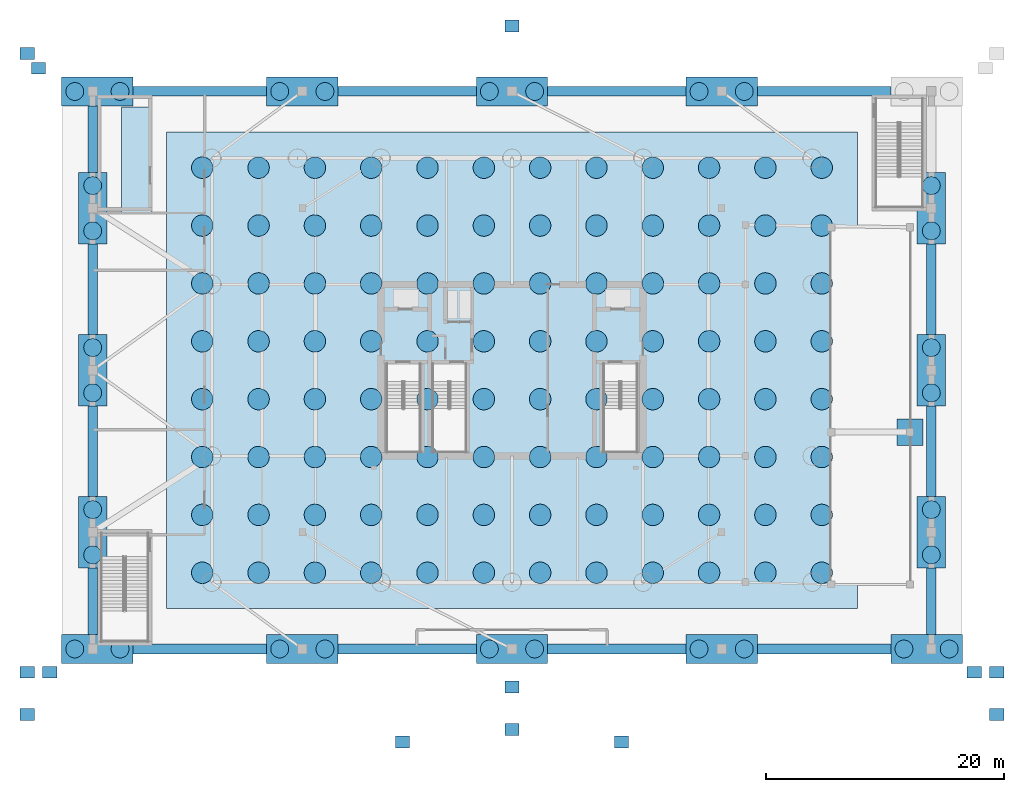
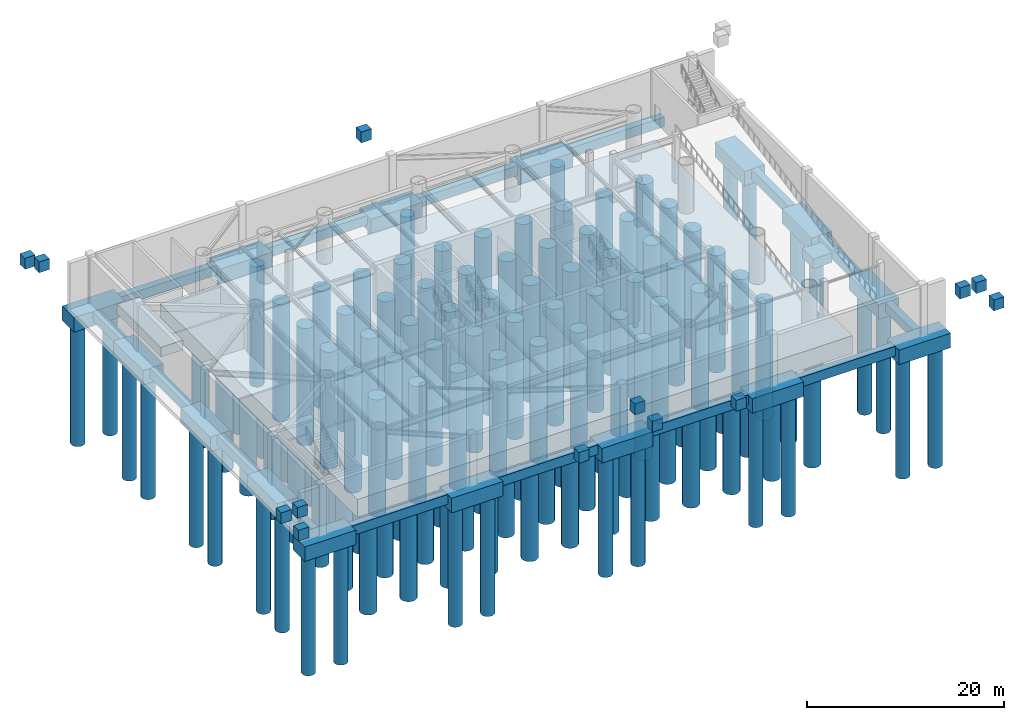
# One storey, part 1 of 12: 126 piles, 46 footings.
"""IFC4 building model written with IfcOpenShell, lengths in metres."""

import ifcopenshell
import ifcopenshell.guid

model = None  # the IFC model being written
_history = None  # IfcOwnerHistory: only IFC2X3 demands one
_inside = {}  # id of a spatial element -> (the spatial element, [elements in it])
_under = {}  # id of a project, library or spatial element -> (it, [spatial elements below it])
_declared = {}  # id of a project -> (the project, [libraries it declares])
_typed = {}  # id of a type object -> (the type object, [elements of that type])
_made_of = {}  # id of a material, layer set ... -> (it, [elements and type objects made of it])


def new_model(schema):
    """Start an empty IFC model of exactly this schema.

    Asked for "IFC4X3", IfcOpenShell would pick the latest addendum, in which some entities
    have other attributes; the version numbers below select the first issue.
    IFC2X3 requires an IfcOwnerHistory on every rooted entity: one is made here for all.
    """
    global model, _history
    if schema == "IFC4X3":
        model = ifcopenshell.file(schema_version=(4, 3, 0, 0))
    else:
        model = ifcopenshell.file(schema=schema)
    _inside.clear()
    _under.clear()
    _declared.clear()
    _typed.clear()
    _made_of.clear()
    _history = None
    if model.schema == "IFC2X3":
        org = make("IfcOrganization", Name="unknown")
        user = make(
            "IfcPersonAndOrganization",
            ThePerson=make("IfcPerson", FamilyName="unknown"),
            TheOrganization=org,
        )
        app = make(
            "IfcApplication",
            ApplicationDeveloper=org,
            Version="unknown",
            ApplicationFullName="unknown",
            ApplicationIdentifier="unknown",
        )
        _history = make(
            "IfcOwnerHistory",
            OwningUser=user,
            OwningApplication=app,
            ChangeAction="ADDED",
            CreationDate=0,
        )
    return model


def make(cls, **values):
    """One entity of the class cls with the attributes given. An attribute that is None is left unset."""
    return model.create_entity(
        cls, **{name: value for name, value in values.items() if value is not None}
    )


def rooted(cls, **values):
    """An entity with a GlobalId (a new one), such as an element, a storey or a relation."""
    return make(cls, GlobalId=ifcopenshell.guid.new(), OwnerHistory=_history, **values)


def si_unit(unit_type, name, prefix=None):
    """IfcSIUnit, for example si_unit("LENGTHUNIT", "METRE", prefix="MILLI")."""
    return make("IfcSIUnit", UnitType=unit_type, Prefix=prefix, Name=name)


def assignment(units):
    """IfcUnitAssignment: the units of a project."""
    return None if units is None else make("IfcUnitAssignment", Units=units)


def point(xyz):
    """IfcCartesianPoint."""
    return None if xyz is None else make("IfcCartesianPoint", Coordinates=xyz)


def direction(xyz):
    """IfcDirection."""
    return None if xyz is None else make("IfcDirection", DirectionRatios=xyz)


def frame(location, z_axis=None, x_axis=None):
    """IfcAxis2Placement3D, a coordinate frame: its origin and axes. An axis left out is left unset."""
    return make(
        "IfcAxis2Placement3D",
        Location=point(location),
        Axis=direction(z_axis),
        RefDirection=direction(x_axis),
    )


def frame_2d(location, x_axis=None):
    """IfcAxis2Placement2D, a coordinate frame in the plane: its origin and x axis."""
    return make(
        "IfcAxis2Placement2D", Location=point(location), RefDirection=direction(x_axis)
    )


def origin():
    """The frame at (0, 0, 0) with its axes left unset."""
    return frame((0.0, 0.0, 0.0))


def origin_2d():
    """The frame at (0, 0) in the plane with its x axis left unset."""
    return frame_2d((0.0, 0.0))


def place(relative_to, where):
    """IfcLocalPlacement: puts the frame where relative to a parent placement (None: the world)."""
    return make(
        "IfcLocalPlacement", PlacementRelTo=relative_to, RelativePlacement=where
    )


def context(
    kind, dimensions, precision=None, world=None, true_north=None, identifier=None
):
    """IfcGeometricRepresentationContext, for example the 3D "Model" context."""
    return make(
        "IfcGeometricRepresentationContext",
        ContextIdentifier=identifier,
        ContextType=kind,
        CoordinateSpaceDimension=dimensions,
        Precision=precision,
        WorldCoordinateSystem=world,
        TrueNorth=true_north,
    )


def subcontext(parent, identifier, kind, view, scale=None):
    """IfcGeometricRepresentationSubContext, for example "Body" below "Model"."""
    return make(
        "IfcGeometricRepresentationSubContext",
        ContextIdentifier=identifier,
        ContextType=kind,
        ParentContext=parent,
        TargetScale=scale,
        TargetView=view,
    )


def project(units=None, contexts=None):
    """IfcProject with its units and contexts."""
    return rooted(
        "IfcProject",
        Name="project",
        RepresentationContexts=contexts,
        UnitsInContext=assignment(units),
    )


def spatial(cls, under=None, at=None, **own):
    """A site, building, storey or space (cls), placed at a placement, below another one or the project."""
    s = rooted(cls, ObjectPlacement=at, **own)
    if under is not None:
        _under.setdefault(under.id(), (under, []))[1].append(s)
    return s


def polyline(points):
    """IfcPolyline through the points."""
    return make("IfcPolyline", Points=[point(p) for p in points])


def profile(cls, at=None, kind="AREA", **sizes):
    """A parametric profile (cls). Its sizes go by their IFC names, for example OverallWidth=200.0."""
    return make(cls, ProfileType=kind, Position=at, **sizes)


def rectangle(**sizes):
    """IfcRectangleProfileDef."""
    return profile("IfcRectangleProfileDef", **sizes)


def circle(**sizes):
    """IfcCircleProfileDef."""
    return profile("IfcCircleProfileDef", **sizes)


def outline(outer, holes=None, kind="AREA"):
    """IfcArbitraryClosedProfileDef: a profile drawn as a closed curve; with holes, ...WithVoids."""
    if holes is None:
        return make("IfcArbitraryClosedProfileDef", ProfileType=kind, OuterCurve=outer)
    return make(
        "IfcArbitraryProfileDefWithVoids",
        ProfileType=kind,
        OuterCurve=outer,
        InnerCurves=holes,
    )


def extrude(swept, where, along, depth):
    """IfcExtrudedAreaSolid: the profile swept, set in the frame where, extruded along a direction by depth."""
    return make(
        "IfcExtrudedAreaSolid",
        SweptArea=swept,
        Position=where,
        ExtrudedDirection=direction(along),
        Depth=depth,
    )


def shape(context_of_items, identifier, shape_type, items):
    """IfcShapeRepresentation: the items that make up one representation, for example the "Body"."""
    return make(
        "IfcShapeRepresentation",
        ContextOfItems=context_of_items,
        RepresentationIdentifier=identifier,
        RepresentationType=shape_type,
        Items=items,
    )


def material(Name=None, Category=None):
    """IfcMaterial."""
    return make("IfcMaterial", Name=Name, Category=Category)


def layer(
    of_material, thickness, ventilated=None, Name=None, Category=None, Priority=None
):
    """IfcMaterialLayer: one layer of a wall or slab, of a material (None: an air gap)."""
    return make(
        "IfcMaterialLayer",
        Material=of_material,
        LayerThickness=thickness,
        IsVentilated=ventilated,
        Name=Name,
        Category=Category,
        Priority=Priority,
    )


def layer_set(layers, Name=None):
    """IfcMaterialLayerSet."""
    return make("IfcMaterialLayerSet", MaterialLayers=layers, LayerSetName=Name)


def material_profile(
    of_material, cross_section, Name=None, Category=None, Priority=None
):
    """IfcMaterialProfile: a cross section and its material."""
    return make(
        "IfcMaterialProfile",
        Name=Name,
        Material=of_material,
        Profile=cross_section,
        Priority=Priority,
        Category=Category,
    )


def profile_set(profiles, Name=None, composite=None):
    """IfcMaterialProfileSet."""
    return make(
        "IfcMaterialProfileSet",
        Name=Name,
        MaterialProfiles=profiles,
        CompositeProfile=composite,
    )


def made_of(thing, what):
    """Note that an element or type object is made of a material, layer set ...; save() writes the relation."""
    if what is not None:
        _made_of.setdefault(what.id(), (what, []))[1].append(thing)
    return thing


def type_object(cls, material=None, **own):
    """A type object (cls), such as IfcWallType, which elements share."""
    return made_of(rooted(cls, **own), material)


def element(
    cls,
    number,
    at=None,
    inside=None,
    cuts=None,
    type_object=None,
    material=None,
    context=None,
    identifier="Body",
    shape_type=None,
    held_by="IfcProductDefinitionShape",
    body=None,
    shapes=None,
    **own,
):
    """One element of the class cls, such as IfcWall. Its Tag is "e" and its number.

    at: its placement. inside: the storey or other place that contains it. cuts: it is an
    opening in that element (IfcRelVoidsElement). A single representation is given by context,
    identifier, shape_type and body (its items); several are given by shapes. held_by: the class
    of the entity that holds the representations. save() writes the other relations.
    """
    e = rooted(cls, Tag="e%d" % number, ObjectPlacement=at, **own)
    if body is not None:
        shapes = [shape(context, identifier, shape_type, body)]
    if shapes is not None:
        e.Representation = make(held_by, Representations=shapes)
    if inside is not None:
        _inside.setdefault(inside.id(), (inside, []))[1].append(e)
    if cuts is not None:
        rooted(
            "IfcRelVoidsElement", RelatingBuildingElement=cuts, RelatedOpeningElement=e
        )
    if type_object is not None:
        _typed.setdefault(type_object.id(), (type_object, []))[1].append(e)
    return made_of(e, material)


def aggregate(whole, parts):
    """IfcRelAggregates: a whole, such as a stair, and the parts it consists of."""
    return rooted("IfcRelAggregates", RelatingObject=whole, RelatedObjects=parts)


def save(model, path):
    """Write the relations noted so far, then the file.

    IfcRelAggregates (storeys below a building ...), IfcRelContainedInSpatialStructure (elements
    in a storey), IfcRelDefinesByType, IfcRelAssociatesMaterial and IfcRelDeclares: one each for
    every whole, place, type object, material and project.
    """
    for whole, parts in _under.values():
        aggregate(whole, parts)
    for where, things in _inside.values():
        rooted(
            "IfcRelContainedInSpatialStructure",
            RelatedElements=things,
            RelatingStructure=where,
        )
    for kind, things in _typed.values():
        rooted("IfcRelDefinesByType", RelatedObjects=things, RelatingType=kind)
    for what, things in _made_of.values():
        rooted("IfcRelAssociatesMaterial", RelatedObjects=things, RelatingMaterial=what)
    for by, libraries in _declared.values():
        rooted("IfcRelDeclares", RelatingContext=by, RelatedDefinitions=libraries)
    model.write(path)


model = new_model("IFC4")

# Units and contexts
model_context = context("Model", 3, precision=1e-05, world=origin(), true_north=direction((0.0, 1.0)))
body_context = subcontext(model_context, "Body", "Model", "MODEL_VIEW")
ifc_project = project(units=[si_unit("LENGTHUNIT", "METRE"), si_unit("AREAUNIT", "SQUARE_METRE"), si_unit("VOLUMEUNIT", "CUBIC_METRE"), si_unit("PLANEANGLEUNIT", "RADIAN"), si_unit("MASSUNIT", "GRAM", prefix="KILO")], contexts=[model_context])

# Site, building, storey
site_placement = place(None, origin())
site = spatial("IfcSite", under=ifc_project, at=site_placement, CompositionType="ELEMENT")
building_placement = place(site_placement, origin())
building = spatial("IfcBuilding", under=site, at=building_placement, Name="Bramvorn Convention Spire", CompositionType="ELEMENT")
storey_placement = place(building_placement, frame((0.0, 0.0, -6.0)))
storey = spatial("IfcBuildingStorey", under=building, at=storey_placement, Name="B1", CompositionType="ELEMENT", Elevation=-6.0)

# Footings
ifc_material_1 = material(Name="Concrete C40/50 Frost Apron Foundation", Category="concrete")
ifc_layer_1 = layer(ifc_material_1, 1.35009765625)
ifc_layer_set_1 = layer_set([ifc_layer_1], Name="Concrete C40/50 Frost Apron Foundation - FTG-APRON-FROST")
footing_type_1 = type_object("IfcFootingType", Name="FTG-APRON-FROST", PredefinedType="PAD_FOOTING", material=ifc_layer_set_1)
for number, where, z_axis, x_axis, name in (
    (1, (-2.699951171875, -2.89990234375, 4.39990234375), (0.0, 0.0, 1.0), (1.0, 0.0, 0.0), "Exterior entrance apron frost pier 1.1"),
    (2, (78.699951171875, -2.89990234375, 4.39990234375), (0.0, 0.0, 1.0), (1.0, 0.0, 0.0), "Exterior entrance apron frost pier 1.2"),
    (3, (38.0, -0.60009765625, 4.39990234375), (0.0, 0.0, 1.0), (1.0, 0.0, 0.0), "Exterior entrance apron frost pier 1.3"),
    (4, (-2.699951171875, 52.60009765625, 4.39990234375), (0.0, 0.0, 1.0), (1.0, 0.0, 0.0), "Exterior entrance apron frost pier 2.1"),
    (5, (38.0, 54.89990234375, 4.39990234375), (0.0, 0.0, 1.0), (1.0, 0.0, 0.0), "Exterior entrance apron frost pier 2.3"),
    (6, (-2.699951171875, 0.64990234375, 4.39990234375), (0.0, 0.0, 1.0), (1.0, 0.0, 0.0), "Exterior entrance apron frost pier 3.1"),
    (7, (-0.800048828125, 0.64990234375, 4.39990234375), (0.0, 0.0, 1.0), (1.0, 0.0, 0.0), "Exterior entrance apron frost pier 3.2"),
    (8, (-1.75, 51.35009765625, 4.39990234375), (0.0, 0.0, 1.0), (1.0, 0.0, 0.0), "Exterior entrance apron frost pier 3.3"),
    (9, (76.800048828125, 0.64990234375, 4.39990234375), (0.0, 0.0, 1.0), (1.0, 0.0, 0.0), "Exterior entrance apron frost pier 4.1"),
    (10, (78.699951171875, 0.64990234375, 4.39990234375), (0.0, 0.0, 1.0), (1.0, 0.0, 0.0), "Exterior entrance apron frost pier 4.2"),
    (11, (28.800048828125, -5.199951171875, 4.39990234375), (0.0, 0.0, 1.0), (1.0, 0.0, 0.0), "Exterior entrance apron frost pier 5.1"),
    (12, (47.199951171875, -5.199951171875, 4.39990234375), (0.0, 0.0, 1.0), (1.0, 0.0, 0.0), "Exterior entrance apron frost pier 5.2"),
    (13, (38.0, -4.14990234375, 4.39990234375), (0.0, 0.0, 1.0), (1.0, 0.0, 0.0), "Exterior entrance apron frost pier 5.3"),
):
    element("IfcFooting", number, at=place(storey_placement, frame(where, z_axis=z_axis, x_axis=x_axis)), inside=storey, type_object=footing_type_1, Name=name, PredefinedType="PAD_FOOTING", context=body_context, shape_type="SweptSolid", body=[
        extrude(rectangle(XDim=1.199951171875, YDim=1.0, at=origin_2d()), origin(), (0.0, 0.0, 1.0), 1.35009765625),
    ])
ifc_material_2 = material(Name="Concrete C60/70", Category="concrete")
ifc_layer_2 = layer(ifc_material_2, 1.199951171875)
ifc_layer_set_2 = layer_set([ifc_layer_2], Name="Concrete C60/70 - FTG-GBEAM-800X1200")
footing_type_2 = type_object("IfcFootingType", Name="FTG-GBEAM-800X1200", PredefinedType="FOOTING_BEAM", material=ifc_layer_set_2)
footing_1_placement = place(storey_placement, frame((0.0, 0.0, -1.64990234375)))
element("IfcFooting", 14, at=footing_1_placement, inside=storey, type_object=footing_type_2, Name="Perimeter frost-depth grade beam GB-01", PredefinedType="FOOTING_BEAM", context=body_context, shape_type="SweptSolid", body=[
    extrude(outline(polyline([(6.199951171875, 2.199951171875), (17.39990234375, 2.199951171875), (17.39990234375, 3.0), (6.199951171875, 3.0), (6.199951171875, 2.199951171875)])), origin(), (0.0, 0.0, 1.0), 1.199951171875),
])
footing_2_placement = place(storey_placement, frame((0.0, 0.0, -1.64990234375)))
element("IfcFooting", 15, at=footing_2_placement, inside=storey, type_object=footing_type_2, Name="Perimeter frost-depth grade beam GB-02", PredefinedType="FOOTING_BEAM", context=body_context, shape_type="SweptSolid", body=[
    extrude(outline(polyline([(23.39990234375, 2.199951171875), (35.0, 2.199951171875), (35.0, 3.0), (23.39990234375, 3.0), (23.39990234375, 2.199951171875)])), origin(), (0.0, 0.0, 1.0), 1.199951171875),
])
footing_3_placement = place(storey_placement, frame((0.0, 0.0, -1.64990234375)))
element("IfcFooting", 16, at=footing_3_placement, inside=storey, type_object=footing_type_2, Name="Perimeter frost-depth grade beam GB-03", PredefinedType="FOOTING_BEAM", context=body_context, shape_type="SweptSolid", body=[
    extrude(outline(polyline([(41.0, 2.199951171875), (52.60009765625, 2.199951171875), (52.60009765625, 3.0), (41.0, 3.0), (41.0, 2.199951171875)])), origin(), (0.0, 0.0, 1.0), 1.199951171875),
])
footing_4_placement = place(storey_placement, frame((0.0, 0.0, -1.64990234375)))
element("IfcFooting", 17, at=footing_4_placement, inside=storey, type_object=footing_type_2, Name="Perimeter frost-depth grade beam GB-04", PredefinedType="FOOTING_BEAM", context=body_context, shape_type="SweptSolid", body=[
    extrude(outline(polyline([(58.60009765625, 2.199951171875), (69.800048828125, 2.199951171875), (69.800048828125, 3.0), (58.60009765625, 3.0), (58.60009765625, 2.199951171875)])), origin(), (0.0, 0.0, 1.0), 1.199951171875),
])
footing_5_placement = place(storey_placement, frame((0.0, 0.0, -1.64990234375)))
element("IfcFooting", 18, at=footing_5_placement, inside=storey, type_object=footing_type_2, Name="Perimeter frost-depth grade beam GB-05", PredefinedType="FOOTING_BEAM", context=body_context, shape_type="SweptSolid", body=[
    extrude(outline(polyline([(72.800048828125, 3.800048828125), (73.60009765625, 3.800048828125), (73.60009765625, 9.39990234375), (72.800048828125, 9.39990234375), (72.800048828125, 3.800048828125)])), origin(), (0.0, 0.0, 1.0), 1.199951171875),
])
footing_6_placement = place(storey_placement, frame((0.0, 0.0, -1.64990234375)))
element("IfcFooting", 19, at=footing_6_placement, inside=storey, type_object=footing_type_2, Name="Perimeter frost-depth grade beam GB-06", PredefinedType="FOOTING_BEAM", context=body_context, shape_type="SweptSolid", body=[
    extrude(outline(polyline([(72.800048828125, 15.39990234375), (73.60009765625, 15.39990234375), (73.60009765625, 23.0), (72.800048828125, 23.0), (72.800048828125, 15.39990234375)])), origin(), (0.0, 0.0, 1.0), 1.199951171875),
])
footing_7_placement = place(storey_placement, frame((0.0, 0.0, -1.64990234375)))
element("IfcFooting", 20, at=footing_7_placement, inside=storey, type_object=footing_type_2, Name="Perimeter frost-depth grade beam GB-07", PredefinedType="FOOTING_BEAM", context=body_context, shape_type="SweptSolid", body=[
    extrude(outline(polyline([(72.800048828125, 29.0), (73.60009765625, 29.0), (73.60009765625, 36.60009765625), (72.800048828125, 36.60009765625), (72.800048828125, 29.0)])), origin(), (0.0, 0.0, 1.0), 1.199951171875),
])
footing_8_placement = place(storey_placement, frame((0.0, 0.0, -1.64990234375)))
element("IfcFooting", 21, at=footing_8_placement, inside=storey, type_object=footing_type_2, Name="Perimeter frost-depth grade beam GB-09", PredefinedType="FOOTING_BEAM", context=body_context, shape_type="SweptSolid", body=[
    extrude(outline(polyline([(58.60009765625, 49.0), (69.800048828125, 49.0), (69.800048828125, 49.800048828125), (58.60009765625, 49.800048828125), (58.60009765625, 49.0)])), origin(), (0.0, 0.0, 1.0), 1.199951171875),
])
footing_9_placement = place(storey_placement, frame((0.0, 0.0, -1.64990234375)))
element("IfcFooting", 22, at=footing_9_placement, inside=storey, type_object=footing_type_2, Name="Perimeter frost-depth grade beam GB-10", PredefinedType="FOOTING_BEAM", context=body_context, shape_type="SweptSolid", body=[
    extrude(outline(polyline([(41.0, 49.0), (52.60009765625, 49.0), (52.60009765625, 49.800048828125), (41.0, 49.800048828125), (41.0, 49.0)])), origin(), (0.0, 0.0, 1.0), 1.199951171875),
])
footing_10_placement = place(storey_placement, frame((0.0, 0.0, -1.64990234375)))
element("IfcFooting", 23, at=footing_10_placement, inside=storey, type_object=footing_type_2, Name="Perimeter frost-depth grade beam GB-11", PredefinedType="FOOTING_BEAM", context=body_context, shape_type="SweptSolid", body=[
    extrude(outline(polyline([(23.39990234375, 49.0), (35.0, 49.0), (35.0, 49.800048828125), (23.39990234375, 49.800048828125), (23.39990234375, 49.0)])), origin(), (0.0, 0.0, 1.0), 1.199951171875),
])
footing_11_placement = place(storey_placement, frame((0.0, 0.0, -1.64990234375)))
element("IfcFooting", 24, at=footing_11_placement, inside=storey, type_object=footing_type_2, Name="Perimeter frost-depth grade beam GB-12", PredefinedType="FOOTING_BEAM", context=body_context, shape_type="SweptSolid", body=[
    extrude(outline(polyline([(6.199951171875, 49.0), (17.39990234375, 49.0), (17.39990234375, 49.800048828125), (6.199951171875, 49.800048828125), (6.199951171875, 49.0)])), origin(), (0.0, 0.0, 1.0), 1.199951171875),
])
footing_12_placement = place(storey_placement, frame((0.0, 0.0, -1.64990234375)))
element("IfcFooting", 25, at=footing_12_placement, inside=storey, type_object=footing_type_2, Name="Perimeter frost-depth grade beam GB-13", PredefinedType="FOOTING_BEAM", context=body_context, shape_type="SweptSolid", body=[
    extrude(outline(polyline([(2.39990234375, 42.60009765625), (3.199951171875, 42.60009765625), (3.199951171875, 48.199951171875), (2.39990234375, 48.199951171875), (2.39990234375, 42.60009765625)])), origin(), (0.0, 0.0, 1.0), 1.199951171875),
])
footing_13_placement = place(storey_placement, frame((0.0, 0.0, -1.64990234375)))
element("IfcFooting", 26, at=footing_13_placement, inside=storey, type_object=footing_type_2, Name="Perimeter frost-depth grade beam GB-14", PredefinedType="FOOTING_BEAM", context=body_context, shape_type="SweptSolid", body=[
    extrude(outline(polyline([(2.39990234375, 29.0), (3.199951171875, 29.0), (3.199951171875, 36.60009765625), (2.39990234375, 36.60009765625), (2.39990234375, 29.0)])), origin(), (0.0, 0.0, 1.0), 1.199951171875),
])
footing_14_placement = place(storey_placement, frame((0.0, 0.0, -1.64990234375)))
element("IfcFooting", 27, at=footing_14_placement, inside=storey, type_object=footing_type_2, Name="Perimeter frost-depth grade beam GB-15", PredefinedType="FOOTING_BEAM", context=body_context, shape_type="SweptSolid", body=[
    extrude(outline(polyline([(2.39990234375, 15.39990234375), (3.199951171875, 15.39990234375), (3.199951171875, 23.0), (2.39990234375, 23.0), (2.39990234375, 15.39990234375)])), origin(), (0.0, 0.0, 1.0), 1.199951171875),
])
footing_15_placement = place(storey_placement, frame((0.0, 0.0, -1.64990234375)))
element("IfcFooting", 28, at=footing_15_placement, inside=storey, type_object=footing_type_2, Name="Perimeter frost-depth grade beam GB-16", PredefinedType="FOOTING_BEAM", context=body_context, shape_type="SweptSolid", body=[
    extrude(outline(polyline([(2.39990234375, 3.800048828125), (3.199951171875, 3.800048828125), (3.199951171875, 9.39990234375), (2.39990234375, 9.39990234375), (2.39990234375, 3.800048828125)])), origin(), (0.0, 0.0, 1.0), 1.199951171875),
])
ifc_layer_3 = layer(ifc_material_2, 1.800048828125)
ifc_layer_set_3 = layer_set([ifc_layer_3], Name="Concrete C60/70 - FTG-PCAP-EW-1800")
footing_type_3 = type_object("IfcFootingType", Name="FTG-PCAP-EW-1800", PredefinedType="PILE_CAP", material=ifc_layer_set_3)
for number, where, z_axis, x_axis, name in (
    (29, (3.199951171875, 2.60009765625, -2.25), (0.0, 0.0, 1.0), (1.0, 0.0, 0.0), "Podium two-caisson cap PC01"),
    (30, (3.199951171875, 49.39990234375, -2.25), (0.0, 0.0, 1.0), (1.0, 0.0, 0.0), "Podium two-caisson cap PC05"),
    (31, (72.800048828125, 2.60009765625, -2.25), (0.0, 0.0, 1.0), (1.0, 0.0, 0.0), "Podium two-caisson cap PC06"),
    (32, (20.39990234375, 2.60009765625, -2.25), (0.0, 0.0, 1.0), (1.0, 0.0, 0.0), "Podium two-caisson cap PC11"),
    (33, (38.0, 2.60009765625, -2.25), (0.0, 0.0, 1.0), (1.0, 0.0, 0.0), "Podium two-caisson cap PC12"),
    (34, (55.60009765625, 2.60009765625, -2.25), (0.0, 0.0, 1.0), (1.0, 0.0, 0.0), "Podium two-caisson cap PC13"),
    (35, (20.39990234375, 49.39990234375, -2.25), (0.0, 0.0, 1.0), (1.0, 0.0, 0.0), "Podium two-caisson cap PC14"),
    (36, (38.0, 49.39990234375, -2.25), (0.0, 0.0, 1.0), (1.0, 0.0, 0.0), "Podium two-caisson cap PC15"),
    (37, (55.60009765625, 49.39990234375, -2.25), (0.0, 0.0, 1.0), (1.0, 0.0, 0.0), "Podium two-caisson cap PC16"),
):
    element("IfcFooting", number, at=place(storey_placement, frame(where, z_axis=z_axis, x_axis=x_axis)), inside=storey, type_object=footing_type_3, Name=name, PredefinedType="PILE_CAP", context=body_context, shape_type="SweptSolid", body=[
        extrude(rectangle(XDim=6.0, YDim=2.39990234375, at=origin_2d()), origin(), (0.0, 0.0, 1.0), 1.800048828125),
    ])
ifc_layer_4 = layer(ifc_material_2, 1.800048828125)
ifc_layer_set_4 = layer_set([ifc_layer_4], Name="Concrete C60/70 - FTG-PCAP-NS-1800")
footing_type_4 = type_object("IfcFootingType", Name="FTG-PCAP-NS-1800", PredefinedType="PILE_CAP", material=ifc_layer_set_4)
for number, where, z_axis, x_axis, name in (
    (38, (2.800048828125, 12.39990234375, -2.25), (0.0, 0.0, 1.0), (1.0, 0.0, 0.0), "Podium two-caisson cap PC02"),
    (39, (2.800048828125, 26.0, -2.25), (0.0, 0.0, 1.0), (1.0, 0.0, 0.0), "Podium two-caisson cap PC03"),
    (40, (2.800048828125, 39.60009765625, -2.25), (0.0, 0.0, 1.0), (1.0, 0.0, 0.0), "Podium two-caisson cap PC04"),
    (41, (73.199951171875, 12.39990234375, -2.25), (0.0, 0.0, 1.0), (1.0, 0.0, 0.0), "Podium two-caisson cap PC07"),
    (42, (73.199951171875, 26.0, -2.25), (0.0, 0.0, 1.0), (1.0, 0.0, 0.0), "Podium two-caisson cap PC08"),
    (43, (73.199951171875, 39.60009765625, -2.25), (0.0, 0.0, 1.0), (1.0, 0.0, 0.0), "Podium two-caisson cap PC09"),
):
    element("IfcFooting", number, at=place(storey_placement, frame(where, z_axis=z_axis, x_axis=x_axis)), inside=storey, type_object=footing_type_4, Name=name, PredefinedType="PILE_CAP", context=body_context, shape_type="SweptSolid", body=[
        extrude(rectangle(XDim=2.39990234375, YDim=6.0, at=origin_2d()), origin(), (0.0, 0.0, 1.0), 1.800048828125),
    ])
ifc_layer_5 = layer(ifc_material_2, 2.199951171875)
ifc_layer_set_5 = layer_set([ifc_layer_5], Name="Concrete C60/70 - FTG-RAFT-2200")
footing_type_5 = type_object("IfcFootingType", Name="FTG-RAFT-2200", PredefinedType="PILE_CAP", material=ifc_layer_set_5)
footing_16_placement = place(storey_placement, frame((0.0, 0.0, -2.64990234375)))
element("IfcFooting", 44, at=footing_16_placement, inside=storey, type_object=footing_type_5, Name="Tower piled concrete raft RF1", PredefinedType="PILE_CAP", context=body_context, shape_type="SweptSolid", body=[
    extrude(outline(polyline([(9.0, 6.0), (67.0, 6.0), (67.0, 46.0), (9.0, 46.0), (9.0, 6.0)])), origin(), (0.0, 0.0, 1.0), 2.199951171875),
])
ifc_material_3 = material(Name="Concrete C50/60", Category="concrete")
ifc_layer_6 = layer(ifc_material_3, 1.199951171875)
ifc_layer_set_6 = layer_set([ifc_layer_6], Name="Concrete C50/60 - FTG-RAMP-PAD")
footing_type_6 = type_object("IfcFootingType", Name="FTG-RAMP-PAD", PredefinedType="PAD_FOOTING", material=ifc_layer_set_6)
footing_17_placement = place(storey_placement, frame((71.39990234375, 20.800048828125, -1.64990234375), z_axis=(0.0, 0.0, 1.0), x_axis=(1.0, 0.0, 0.0)))
element("IfcFooting", 45, at=footing_17_placement, inside=storey, type_object=footing_type_6, Name="B1 vehicle ramp midspan east pad footing", PredefinedType="PAD_FOOTING", context=body_context, shape_type="SweptSolid", body=[
    extrude(rectangle(XDim=2.199951171875, YDim=2.199951171875, at=origin_2d()), origin(), (0.0, 0.0, 1.0), 1.199951171875),
])
ifc_layer_7 = layer(ifc_material_2, 1.199951171875)
ifc_layer_set_7 = layer_set([ifc_layer_7], Name="Concrete C60/70 - FTG-STAIR-MAT")
footing_type_7 = type_object("IfcFootingType", Name="FTG-STAIR-MAT", PredefinedType="PAD_FOOTING", material=ifc_layer_set_7)
footing_18_placement = place(storey_placement, frame((0.0, 0.0, -1.64990234375)))
element("IfcFooting", 46, at=footing_18_placement, inside=storey, type_object=footing_type_7, Name="NW Stair ST6 reinforced concrete strip footing", PredefinedType="PAD_FOOTING", context=body_context, shape_type="SweptSolid", body=[
    extrude(outline(polyline([(5.199951171875, 39.25), (7.800048828125, 39.25), (7.800048828125, 48.10009765625), (5.199951171875, 48.10009765625), (5.199951171875, 39.25)])), origin(), (0.0, 0.0, 1.0), 1.199951171875),
])

# Piles
ifc_material_profile_1 = material_profile(ifc_material_2, circle(Radius=0.75, at=origin_2d()))
ifc_profile_set_1 = profile_set([ifc_material_profile_1], Name="Concrete C60/70 - CAISSON1500")
pile_type_1 = type_object("IfcPileType", Name="PILE-CAISSON-1500", PredefinedType="BORED", material=ifc_profile_set_1)
for number, where, z_axis, x_axis, name in (
    (47, (1.300048828125, 2.60009765625, -2.10009765625), (0.0, 0.0, -1.0), (1.0, 0.0, 0.0), "Podium rock-socketed caisson PC01-1"),
    (48, (5.10009765625, 2.60009765625, -2.10009765625), (0.0, 0.0, -1.0), (1.0, 0.0, 0.0), "Podium rock-socketed caisson PC01-2"),
    (49, (2.800048828125, 10.5, -2.10009765625), (0.0, 0.0, -1.0), (1.0, 0.0, 0.0), "Podium rock-socketed caisson PC02-1"),
    (50, (2.800048828125, 14.300048828125, -2.10009765625), (0.0, 0.0, -1.0), (1.0, 0.0, 0.0), "Podium rock-socketed caisson PC02-2"),
    (51, (2.800048828125, 24.10009765625, -2.10009765625), (0.0, 0.0, -1.0), (1.0, 0.0, 0.0), "Podium rock-socketed caisson PC03-1"),
    (52, (2.800048828125, 27.89990234375, -2.10009765625), (0.0, 0.0, -1.0), (1.0, 0.0, 0.0), "Podium rock-socketed caisson PC03-2"),
    (53, (2.800048828125, 37.699951171875, -2.10009765625), (0.0, 0.0, -1.0), (1.0, 0.0, 0.0), "Podium rock-socketed caisson PC04-1"),
    (54, (2.800048828125, 41.5, -2.10009765625), (0.0, 0.0, -1.0), (1.0, 0.0, 0.0), "Podium rock-socketed caisson PC04-2"),
    (55, (1.300048828125, 49.39990234375, -2.10009765625), (0.0, 0.0, -1.0), (1.0, 0.0, 0.0), "Podium rock-socketed caisson PC05-1"),
    (56, (5.10009765625, 49.39990234375, -2.10009765625), (0.0, 0.0, -1.0), (1.0, 0.0, 0.0), "Podium rock-socketed caisson PC05-2"),
    (57, (70.89990234375, 2.60009765625, -2.10009765625), (0.0, 0.0, -1.0), (1.0, 0.0, 0.0), "Podium rock-socketed caisson PC06-1"),
    (58, (74.699951171875, 2.60009765625, -2.10009765625), (0.0, 0.0, -1.0), (1.0, 0.0, 0.0), "Podium rock-socketed caisson PC06-2"),
    (59, (73.199951171875, 10.5, -2.10009765625), (0.0, 0.0, -1.0), (1.0, 0.0, 0.0), "Podium rock-socketed caisson PC07-1"),
    (60, (73.199951171875, 14.300048828125, -2.10009765625), (0.0, 0.0, -1.0), (1.0, 0.0, 0.0), "Podium rock-socketed caisson PC07-2"),
    (61, (73.199951171875, 24.10009765625, -2.10009765625), (0.0, 0.0, -1.0), (1.0, 0.0, 0.0), "Podium rock-socketed caisson PC08-1"),
    (62, (73.199951171875, 27.89990234375, -2.10009765625), (0.0, 0.0, -1.0), (1.0, 0.0, 0.0), "Podium rock-socketed caisson PC08-2"),
    (63, (73.199951171875, 37.699951171875, -2.10009765625), (0.0, 0.0, -1.0), (1.0, 0.0, 0.0), "Podium rock-socketed caisson PC09-1"),
    (64, (73.199951171875, 41.5, -2.10009765625), (0.0, 0.0, -1.0), (1.0, 0.0, 0.0), "Podium rock-socketed caisson PC09-2"),
    (65, (18.5, 2.60009765625, -2.10009765625), (0.0, 0.0, -1.0), (1.0, 0.0, 0.0), "Podium rock-socketed caisson PC11-1"),
    (66, (22.300048828125, 2.60009765625, -2.10009765625), (0.0, 0.0, -1.0), (1.0, 0.0, 0.0), "Podium rock-socketed caisson PC11-2"),
    (67, (36.10009765625, 2.60009765625, -2.10009765625), (0.0, 0.0, -1.0), (1.0, 0.0, 0.0), "Podium rock-socketed caisson PC12-1"),
    (68, (39.89990234375, 2.60009765625, -2.10009765625), (0.0, 0.0, -1.0), (1.0, 0.0, 0.0), "Podium rock-socketed caisson PC12-2"),
    (69, (53.699951171875, 2.60009765625, -2.10009765625), (0.0, 0.0, -1.0), (1.0, 0.0, 0.0), "Podium rock-socketed caisson PC13-1"),
    (70, (57.5, 2.60009765625, -2.10009765625), (0.0, 0.0, -1.0), (1.0, 0.0, 0.0), "Podium rock-socketed caisson PC13-2"),
    (71, (18.5, 49.39990234375, -2.10009765625), (0.0, 0.0, -1.0), (1.0, 0.0, 0.0), "Podium rock-socketed caisson PC14-1"),
    (72, (22.300048828125, 49.39990234375, -2.10009765625), (0.0, 0.0, -1.0), (1.0, 0.0, 0.0), "Podium rock-socketed caisson PC14-2"),
    (73, (36.10009765625, 49.39990234375, -2.10009765625), (0.0, 0.0, -1.0), (1.0, 0.0, 0.0), "Podium rock-socketed caisson PC15-1"),
    (74, (39.89990234375, 49.39990234375, -2.10009765625), (0.0, 0.0, -1.0), (1.0, 0.0, 0.0), "Podium rock-socketed caisson PC15-2"),
    (75, (53.699951171875, 49.39990234375, -2.10009765625), (0.0, 0.0, -1.0), (1.0, 0.0, 0.0), "Podium rock-socketed caisson PC16-1"),
    (76, (57.5, 49.39990234375, -2.10009765625), (0.0, 0.0, -1.0), (1.0, 0.0, 0.0), "Podium rock-socketed caisson PC16-2"),
):
    element("IfcPile", number, at=place(storey_placement, frame(where, z_axis=z_axis, x_axis=x_axis)), inside=storey, type_object=pile_type_1, Name=name, PredefinedType="BORED", context=body_context, shape_type="SweptSolid", body=[
        extrude(circle(Radius=0.75, at=origin_2d()), origin(), (0.0, 0.0, 1.0), 14.89990234375),
    ])
ifc_material_profile_2 = material_profile(ifc_material_2, circle(Radius=0.89990234375, at=origin_2d()))
ifc_profile_set_2 = profile_set([ifc_material_profile_2], Name="Concrete C60/70 - CAISSON1800")
pile_type_2 = type_object("IfcPileType", Name="PILE-CAISSON-1800", PredefinedType="BORED", material=ifc_profile_set_2)
for number, where, z_axis, x_axis, name in (
    (77, (12.0, 9.0, -2.5), (0.0, 0.0, -1.0), (1.0, 0.0, 0.0), "Rock-socketed caisson P1-001"),
    (78, (12.0, 13.857177734375, -2.5), (0.0, 0.0, -1.0), (1.0, 0.0, 0.0), "Rock-socketed caisson P1-002"),
    (79, (12.0, 18.71435546875, -2.5), (0.0, 0.0, -1.0), (1.0, 0.0, 0.0), "Rock-socketed caisson P1-003"),
    (80, (12.0, 23.5712890625, -2.5), (0.0, 0.0, -1.0), (1.0, 0.0, 0.0), "Rock-socketed caisson P1-004"),
    (81, (12.0, 28.4287109375, -2.5), (0.0, 0.0, -1.0), (1.0, 0.0, 0.0), "Rock-socketed caisson P1-005"),
    (82, (12.0, 33.28564453125, -2.5), (0.0, 0.0, -1.0), (1.0, 0.0, 0.0), "Rock-socketed caisson P1-006"),
    (83, (12.0, 38.142822265625, -2.5), (0.0, 0.0, -1.0), (1.0, 0.0, 0.0), "Rock-socketed caisson P1-007"),
    (84, (12.0, 43.0, -2.5), (0.0, 0.0, -1.0), (1.0, 0.0, 0.0), "Rock-socketed caisson P1-008"),
    (85, (16.727294921875, 9.0, -2.5), (0.0, 0.0, -1.0), (1.0, 0.0, 0.0), "Rock-socketed caisson P1-009"),
    (86, (16.727294921875, 13.857177734375, -2.5), (0.0, 0.0, -1.0), (1.0, 0.0, 0.0), "Rock-socketed caisson P1-010"),
    (87, (16.727294921875, 18.71435546875, -2.5), (0.0, 0.0, -1.0), (1.0, 0.0, 0.0), "Rock-socketed caisson P1-011"),
    (88, (16.727294921875, 23.5712890625, -2.5), (0.0, 0.0, -1.0), (1.0, 0.0, 0.0), "Rock-socketed caisson P1-012"),
    (89, (16.727294921875, 28.4287109375, -2.5), (0.0, 0.0, -1.0), (1.0, 0.0, 0.0), "Rock-socketed caisson P1-013"),
    (90, (16.727294921875, 33.28564453125, -2.5), (0.0, 0.0, -1.0), (1.0, 0.0, 0.0), "Rock-socketed caisson P1-014"),
    (91, (16.727294921875, 38.142822265625, -2.5), (0.0, 0.0, -1.0), (1.0, 0.0, 0.0), "Rock-socketed caisson P1-015"),
    (92, (16.727294921875, 43.0, -2.5), (0.0, 0.0, -1.0), (1.0, 0.0, 0.0), "Rock-socketed caisson P1-016"),
    (93, (21.45458984375, 9.0, -2.5), (0.0, 0.0, -1.0), (1.0, 0.0, 0.0), "Rock-socketed caisson P1-017"),
    (94, (21.45458984375, 13.857177734375, -2.5), (0.0, 0.0, -1.0), (1.0, 0.0, 0.0), "Rock-socketed caisson P1-018"),
    (95, (21.45458984375, 18.71435546875, -2.5), (0.0, 0.0, -1.0), (1.0, 0.0, 0.0), "Rock-socketed caisson P1-019"),
    (96, (21.45458984375, 23.5712890625, -2.5), (0.0, 0.0, -1.0), (1.0, 0.0, 0.0), "Rock-socketed caisson P1-020"),
    (97, (21.45458984375, 28.4287109375, -2.5), (0.0, 0.0, -1.0), (1.0, 0.0, 0.0), "Rock-socketed caisson P1-021"),
    (98, (21.45458984375, 33.28564453125, -2.5), (0.0, 0.0, -1.0), (1.0, 0.0, 0.0), "Rock-socketed caisson P1-022"),
    (99, (21.45458984375, 38.142822265625, -2.5), (0.0, 0.0, -1.0), (1.0, 0.0, 0.0), "Rock-socketed caisson P1-023"),
    (100, (21.45458984375, 43.0, -2.5), (0.0, 0.0, -1.0), (1.0, 0.0, 0.0), "Rock-socketed caisson P1-024"),
    (101, (26.181884765625, 9.0, -2.5), (0.0, 0.0, -1.0), (1.0, 0.0, 0.0), "Rock-socketed caisson P1-025"),
    (102, (26.181884765625, 13.857177734375, -2.5), (0.0, 0.0, -1.0), (1.0, 0.0, 0.0), "Rock-socketed caisson P1-026"),
    (103, (26.181884765625, 18.71435546875, -2.5), (0.0, 0.0, -1.0), (1.0, 0.0, 0.0), "Rock-socketed caisson P1-027"),
    (104, (26.181884765625, 23.5712890625, -2.5), (0.0, 0.0, -1.0), (1.0, 0.0, 0.0), "Rock-socketed caisson P1-028"),
    (105, (26.181884765625, 28.4287109375, -2.5), (0.0, 0.0, -1.0), (1.0, 0.0, 0.0), "Rock-socketed caisson P1-029"),
    (106, (26.181884765625, 33.28564453125, -2.5), (0.0, 0.0, -1.0), (1.0, 0.0, 0.0), "Rock-socketed caisson P1-030"),
    (107, (26.181884765625, 38.142822265625, -2.5), (0.0, 0.0, -1.0), (1.0, 0.0, 0.0), "Rock-socketed caisson P1-031"),
    (108, (26.181884765625, 43.0, -2.5), (0.0, 0.0, -1.0), (1.0, 0.0, 0.0), "Rock-socketed caisson P1-032"),
    (109, (30.9091796875, 9.0, -2.5), (0.0, 0.0, -1.0), (1.0, 0.0, 0.0), "Rock-socketed caisson P1-033"),
    (110, (30.9091796875, 13.857177734375, -2.5), (0.0, 0.0, -1.0), (1.0, 0.0, 0.0), "Rock-socketed caisson P1-034"),
    (111, (30.9091796875, 18.71435546875, -2.5), (0.0, 0.0, -1.0), (1.0, 0.0, 0.0), "Rock-socketed caisson P1-035"),
    (112, (30.9091796875, 23.5712890625, -2.5), (0.0, 0.0, -1.0), (1.0, 0.0, 0.0), "Rock-socketed caisson P1-036"),
    (113, (30.9091796875, 28.4287109375, -2.5), (0.0, 0.0, -1.0), (1.0, 0.0, 0.0), "Rock-socketed caisson P1-037"),
    (114, (30.9091796875, 33.28564453125, -2.5), (0.0, 0.0, -1.0), (1.0, 0.0, 0.0), "Rock-socketed caisson P1-038"),
    (115, (30.9091796875, 38.142822265625, -2.5), (0.0, 0.0, -1.0), (1.0, 0.0, 0.0), "Rock-socketed caisson P1-039"),
    (116, (30.9091796875, 43.0, -2.5), (0.0, 0.0, -1.0), (1.0, 0.0, 0.0), "Rock-socketed caisson P1-040"),
    (117, (35.636474609375, 9.0, -2.5), (0.0, 0.0, -1.0), (1.0, 0.0, 0.0), "Rock-socketed caisson P1-041"),
    (118, (35.636474609375, 13.857177734375, -2.5), (0.0, 0.0, -1.0), (1.0, 0.0, 0.0), "Rock-socketed caisson P1-042"),
    (119, (35.636474609375, 18.71435546875, -2.5), (0.0, 0.0, -1.0), (1.0, 0.0, 0.0), "Rock-socketed caisson P1-043"),
    (120, (35.636474609375, 23.5712890625, -2.5), (0.0, 0.0, -1.0), (1.0, 0.0, 0.0), "Rock-socketed caisson P1-044"),
    (121, (35.636474609375, 28.4287109375, -2.5), (0.0, 0.0, -1.0), (1.0, 0.0, 0.0), "Rock-socketed caisson P1-045"),
    (122, (35.636474609375, 33.28564453125, -2.5), (0.0, 0.0, -1.0), (1.0, 0.0, 0.0), "Rock-socketed caisson P1-046"),
    (123, (35.636474609375, 38.142822265625, -2.5), (0.0, 0.0, -1.0), (1.0, 0.0, 0.0), "Rock-socketed caisson P1-047"),
    (124, (35.636474609375, 43.0, -2.5), (0.0, 0.0, -1.0), (1.0, 0.0, 0.0), "Rock-socketed caisson P1-048"),
    (125, (40.363525390625, 9.0, -2.5), (0.0, 0.0, -1.0), (1.0, 0.0, 0.0), "Rock-socketed caisson P1-049"),
    (126, (40.363525390625, 13.857177734375, -2.5), (0.0, 0.0, -1.0), (1.0, 0.0, 0.0), "Rock-socketed caisson P1-050"),
    (127, (40.363525390625, 18.71435546875, -2.5), (0.0, 0.0, -1.0), (1.0, 0.0, 0.0), "Rock-socketed caisson P1-051"),
    (128, (40.363525390625, 23.5712890625, -2.5), (0.0, 0.0, -1.0), (1.0, 0.0, 0.0), "Rock-socketed caisson P1-052"),
    (129, (40.363525390625, 28.4287109375, -2.5), (0.0, 0.0, -1.0), (1.0, 0.0, 0.0), "Rock-socketed caisson P1-053"),
    (130, (40.363525390625, 33.28564453125, -2.5), (0.0, 0.0, -1.0), (1.0, 0.0, 0.0), "Rock-socketed caisson P1-054"),
    (131, (40.363525390625, 38.142822265625, -2.5), (0.0, 0.0, -1.0), (1.0, 0.0, 0.0), "Rock-socketed caisson P1-055"),
    (132, (40.363525390625, 43.0, -2.5), (0.0, 0.0, -1.0), (1.0, 0.0, 0.0), "Rock-socketed caisson P1-056"),
    (133, (45.0908203125, 9.0, -2.5), (0.0, 0.0, -1.0), (1.0, 0.0, 0.0), "Rock-socketed caisson P1-057"),
    (134, (45.0908203125, 13.857177734375, -2.5), (0.0, 0.0, -1.0), (1.0, 0.0, 0.0), "Rock-socketed caisson P1-058"),
    (135, (45.0908203125, 18.71435546875, -2.5), (0.0, 0.0, -1.0), (1.0, 0.0, 0.0), "Rock-socketed caisson P1-059"),
    (136, (45.0908203125, 23.5712890625, -2.5), (0.0, 0.0, -1.0), (1.0, 0.0, 0.0), "Rock-socketed caisson P1-060"),
    (137, (45.0908203125, 28.4287109375, -2.5), (0.0, 0.0, -1.0), (1.0, 0.0, 0.0), "Rock-socketed caisson P1-061"),
    (138, (45.0908203125, 33.28564453125, -2.5), (0.0, 0.0, -1.0), (1.0, 0.0, 0.0), "Rock-socketed caisson P1-062"),
    (139, (45.0908203125, 38.142822265625, -2.5), (0.0, 0.0, -1.0), (1.0, 0.0, 0.0), "Rock-socketed caisson P1-063"),
    (140, (45.0908203125, 43.0, -2.5), (0.0, 0.0, -1.0), (1.0, 0.0, 0.0), "Rock-socketed caisson P1-064"),
    (141, (49.818115234375, 9.0, -2.5), (0.0, 0.0, -1.0), (1.0, 0.0, 0.0), "Rock-socketed caisson P1-065"),
    (142, (49.818115234375, 13.857177734375, -2.5), (0.0, 0.0, -1.0), (1.0, 0.0, 0.0), "Rock-socketed caisson P1-066"),
    (143, (49.818115234375, 18.71435546875, -2.5), (0.0, 0.0, -1.0), (1.0, 0.0, 0.0), "Rock-socketed caisson P1-067"),
    (144, (49.818115234375, 23.5712890625, -2.5), (0.0, 0.0, -1.0), (1.0, 0.0, 0.0), "Rock-socketed caisson P1-068"),
    (145, (49.818115234375, 28.4287109375, -2.5), (0.0, 0.0, -1.0), (1.0, 0.0, 0.0), "Rock-socketed caisson P1-069"),
    (146, (49.818115234375, 33.28564453125, -2.5), (0.0, 0.0, -1.0), (1.0, 0.0, 0.0), "Rock-socketed caisson P1-070"),
    (147, (49.818115234375, 38.142822265625, -2.5), (0.0, 0.0, -1.0), (1.0, 0.0, 0.0), "Rock-socketed caisson P1-071"),
    (148, (49.818115234375, 43.0, -2.5), (0.0, 0.0, -1.0), (1.0, 0.0, 0.0), "Rock-socketed caisson P1-072"),
    (149, (54.54541015625, 9.0, -2.5), (0.0, 0.0, -1.0), (1.0, 0.0, 0.0), "Rock-socketed caisson P1-073"),
    (150, (54.54541015625, 13.857177734375, -2.5), (0.0, 0.0, -1.0), (1.0, 0.0, 0.0), "Rock-socketed caisson P1-074"),
    (151, (54.54541015625, 18.71435546875, -2.5), (0.0, 0.0, -1.0), (1.0, 0.0, 0.0), "Rock-socketed caisson P1-075"),
    (152, (54.54541015625, 23.5712890625, -2.5), (0.0, 0.0, -1.0), (1.0, 0.0, 0.0), "Rock-socketed caisson P1-076"),
    (153, (54.54541015625, 28.4287109375, -2.5), (0.0, 0.0, -1.0), (1.0, 0.0, 0.0), "Rock-socketed caisson P1-077"),
    (154, (54.54541015625, 33.28564453125, -2.5), (0.0, 0.0, -1.0), (1.0, 0.0, 0.0), "Rock-socketed caisson P1-078"),
    (155, (54.54541015625, 38.142822265625, -2.5), (0.0, 0.0, -1.0), (1.0, 0.0, 0.0), "Rock-socketed caisson P1-079"),
    (156, (54.54541015625, 43.0, -2.5), (0.0, 0.0, -1.0), (1.0, 0.0, 0.0), "Rock-socketed caisson P1-080"),
    (157, (59.272705078125, 9.0, -2.5), (0.0, 0.0, -1.0), (1.0, 0.0, 0.0), "Rock-socketed caisson P1-081"),
    (158, (59.272705078125, 13.857177734375, -2.5), (0.0, 0.0, -1.0), (1.0, 0.0, 0.0), "Rock-socketed caisson P1-082"),
    (159, (59.272705078125, 18.71435546875, -2.5), (0.0, 0.0, -1.0), (1.0, 0.0, 0.0), "Rock-socketed caisson P1-083"),
    (160, (59.272705078125, 23.5712890625, -2.5), (0.0, 0.0, -1.0), (1.0, 0.0, 0.0), "Rock-socketed caisson P1-084"),
    (161, (59.272705078125, 28.4287109375, -2.5), (0.0, 0.0, -1.0), (1.0, 0.0, 0.0), "Rock-socketed caisson P1-085"),
    (162, (59.272705078125, 33.28564453125, -2.5), (0.0, 0.0, -1.0), (1.0, 0.0, 0.0), "Rock-socketed caisson P1-086"),
    (163, (59.272705078125, 38.142822265625, -2.5), (0.0, 0.0, -1.0), (1.0, 0.0, 0.0), "Rock-socketed caisson P1-087"),
    (164, (59.272705078125, 43.0, -2.5), (0.0, 0.0, -1.0), (1.0, 0.0, 0.0), "Rock-socketed caisson P1-088"),
    (165, (64.0, 9.0, -2.5), (0.0, 0.0, -1.0), (1.0, 0.0, 0.0), "Rock-socketed caisson P1-089"),
    (166, (64.0, 13.857177734375, -2.5), (0.0, 0.0, -1.0), (1.0, 0.0, 0.0), "Rock-socketed caisson P1-090"),
    (167, (64.0, 18.71435546875, -2.5), (0.0, 0.0, -1.0), (1.0, 0.0, 0.0), "Rock-socketed caisson P1-091"),
    (168, (64.0, 23.5712890625, -2.5), (0.0, 0.0, -1.0), (1.0, 0.0, 0.0), "Rock-socketed caisson P1-092"),
    (169, (64.0, 28.4287109375, -2.5), (0.0, 0.0, -1.0), (1.0, 0.0, 0.0), "Rock-socketed caisson P1-093"),
    (170, (64.0, 33.28564453125, -2.5), (0.0, 0.0, -1.0), (1.0, 0.0, 0.0), "Rock-socketed caisson P1-094"),
    (171, (64.0, 38.142822265625, -2.5), (0.0, 0.0, -1.0), (1.0, 0.0, 0.0), "Rock-socketed caisson P1-095"),
    (172, (64.0, 43.0, -2.5), (0.0, 0.0, -1.0), (1.0, 0.0, 0.0), "Rock-socketed caisson P1-096"),
):
    element("IfcPile", number, at=place(storey_placement, frame(where, z_axis=z_axis, x_axis=x_axis)), inside=storey, type_object=pile_type_2, Name=name, PredefinedType="BORED", context=body_context, shape_type="SweptSolid", body=[
        extrude(circle(Radius=0.89990234375, at=origin_2d()), origin(), (0.0, 0.0, 1.0), 14.5),
    ])

save(model, "model.ifc")
